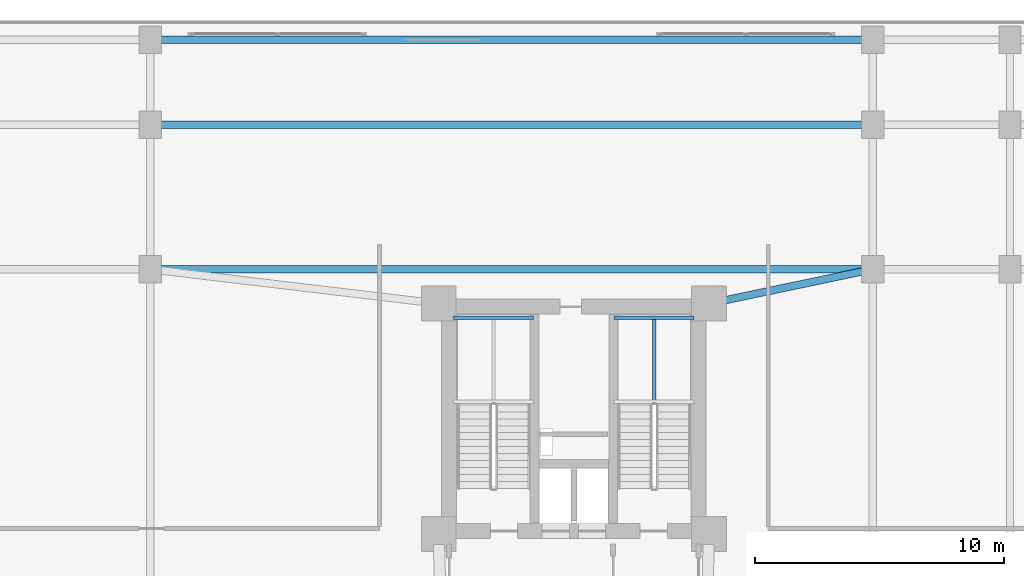
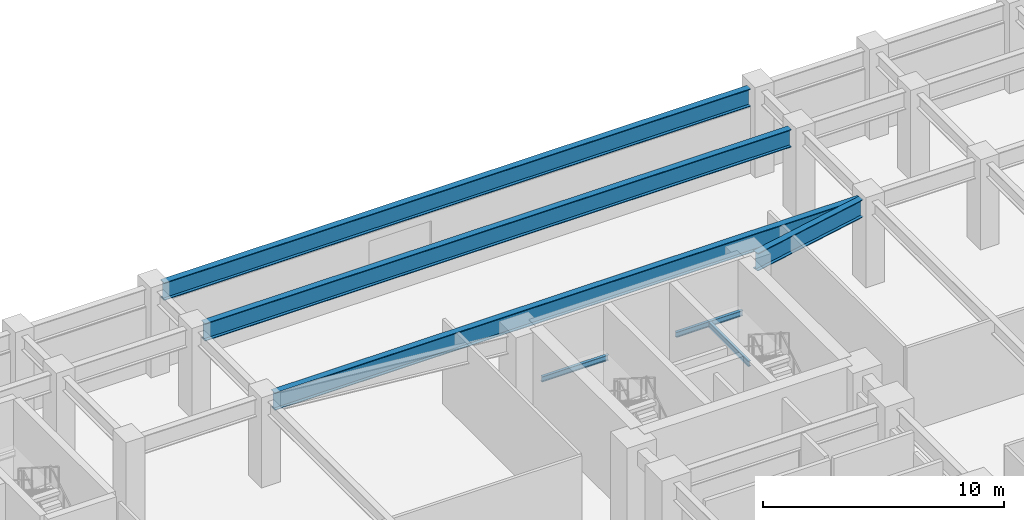
# One storey, part 4 of 12: 7 beams.
"""IFC4 building model written with IfcOpenShell, lengths in metres."""

from ifc_helpers import new_model, si_unit, direction, frame, origin, origin_2d, place, context, subcontext, project, spatial, i_section, extrude, material, material_profile, profile_set, type_object, element, save


model = new_model("IFC4")

# Units and contexts
model_context = context("Model", 3, precision=1e-05, world=origin(), true_north=direction((0.0, 1.0)))
body_context = subcontext(model_context, "Body", "Model", "MODEL_VIEW")
ifc_project = project(units=[si_unit("LENGTHUNIT", "METRE"), si_unit("AREAUNIT", "SQUARE_METRE"), si_unit("VOLUMEUNIT", "CUBIC_METRE"), si_unit("PLANEANGLEUNIT", "RADIAN"), si_unit("MASSUNIT", "GRAM", prefix="KILO")], contexts=[model_context])

# Site, building, storey
site_placement = place(None, origin())
site = spatial("IfcSite", under=ifc_project, at=site_placement, CompositionType="ELEMENT")
building_placement = place(site_placement, origin())
building = spatial("IfcBuilding", under=site, at=building_placement, Name="Varnakorn Sky Granary", CompositionType="ELEMENT")
storey_placement = place(building_placement, frame((0.0, 0.0, 4.60009765625)))
storey = spatial("IfcBuildingStorey", under=building, at=storey_placement, Name="L01", CompositionType="ELEMENT", Elevation=4.60009765625)

# Beams
ifc_material = material(Name="Steel S355JR", Category="steel")
ifc_material_profile_1 = material_profile(ifc_material, i_section(OverallWidth=0.135009765625, OverallDepth=0.27001953125, WebThickness=0.006591796875, FlangeThickness=0.01025390625, at=origin_2d()), Name="IPE 270")
ifc_profile_set_1 = profile_set([ifc_material_profile_1], Name="Steel S355JR")
beam_type_1 = type_object("IfcBeamType", Name="BM-LND-270", PredefinedType="BEAM", material=ifc_profile_set_1)
for number, where, z_axis, x_axis, name in (
    (1, (-1.820068359375, 12.06005859375, 1.96484375), (1.0, 0.0, 0.0), (0.0, 1.0, 0.0), "Stair ST-1 Landing Trimmer Beam B L01-1"),
    (2, (4.6201171875, 12.06005859375, 1.96484375), (1.0, 0.0, 0.0), (0.0, 1.0, 0.0), "Stair ST-2 Landing Trimmer Beam B L01-1"),
):
    element("IfcBeam", number, at=place(storey_placement, frame(where, z_axis=z_axis, x_axis=x_axis)), inside=storey, type_object=beam_type_1, Name=name, PredefinedType="BEAM", context=body_context, shape_type="SweptSolid", body=[
        extrude(i_section(OverallWidth=0.135009765625, OverallDepth=0.27001953125, WebThickness=0.006591796875, FlangeThickness=0.01025390625, at=origin_2d()), origin(), (0.0, 0.0, 1.0), 3.199951171875),
    ])
beam_1_placement = place(storey_placement, frame((6.219970703125, 8.679931640625, 1.96484375), z_axis=(0.0, 1.0, 0.0), x_axis=(-1.0, 0.0, 0.0)))
element("IfcBeam", 3, at=beam_1_placement, inside=storey, type_object=beam_type_1, Name="Stair ST-2 Landing Cross Beam C L01-1", PredefinedType="BEAM", context=body_context, shape_type="SweptSolid", body=[
    extrude(i_section(OverallWidth=0.135009765625, OverallDepth=0.27001953125, WebThickness=0.006591796875, FlangeThickness=0.01025390625, at=origin_2d()), origin(), (0.0, 0.0, 1.0), 3.380126953125),
])
ifc_material_profile_2 = material_profile(ifc_material, i_section(OverallWidth=0.300048828125, OverallDepth=0.89990234375, WebThickness=0.0185546875, FlangeThickness=0.034912109375, at=origin_2d()), Name="HE 900 B")
ifc_profile_set_2 = profile_set([ifc_material_profile_2], Name="Steel S355JR")
beam_type_2 = type_object("IfcBeamType", Name="BM-PG-900", PredefinedType="BEAM", material=ifc_profile_set_2)
for number, where, z_axis, x_axis, name in (
    (4, (-13.580078125, 14.0, 3.829833984375), (1.0, 0.0, 0.0), (0.0, 1.0, 0.0), "Podium X-Girder GX22 L01"),
    (5, (-13.580078125, 19.800048828125, 3.829833984375), (1.0, 0.0, 0.0), (0.0, 1.0, 0.0), "Podium X-Girder GX29 L01"),
    (6, (-13.580078125, 23.199951171875, 3.829833984375), (1.0, 0.0, 0.0), (0.0, 1.0, 0.0), "Podium X-Girder GX36 L01"),
):
    element("IfcBeam", number, at=place(storey_placement, frame(where, z_axis=z_axis, x_axis=x_axis)), inside=storey, type_object=beam_type_2, Name=name, PredefinedType="BEAM", context=body_context, shape_type="SweptSolid", body=[
        extrude(i_section(OverallWidth=0.300048828125, OverallDepth=0.89990234375, WebThickness=0.0185546875, FlangeThickness=0.034912109375, at=origin_2d()), origin(), (0.0, 0.0, 1.0), 28.16015625),
    ])
beam_2_placement = place(storey_placement, frame((14.5888671875, 13.913818359375, 3.829833984375), z_axis=(-0.978708882908, -0.205253313045, 0.0), x_axis=(0.205253313045, -0.978708882908, 0.0)))
element("IfcBeam", 7, at=beam_2_placement, inside=storey, type_object=beam_type_2, Name="Podium Core Tie Girder 3 L01", PredefinedType="BEAM", context=body_context, shape_type="SweptSolid", body=[
    extrude(i_section(OverallWidth=0.300048828125, OverallDepth=0.89990234375, WebThickness=0.0185546875, FlangeThickness=0.034912109375, at=origin_2d()), origin(), (0.0, 0.0, 1.0), 5.883056640625),
])

save(model, "model.ifc")
